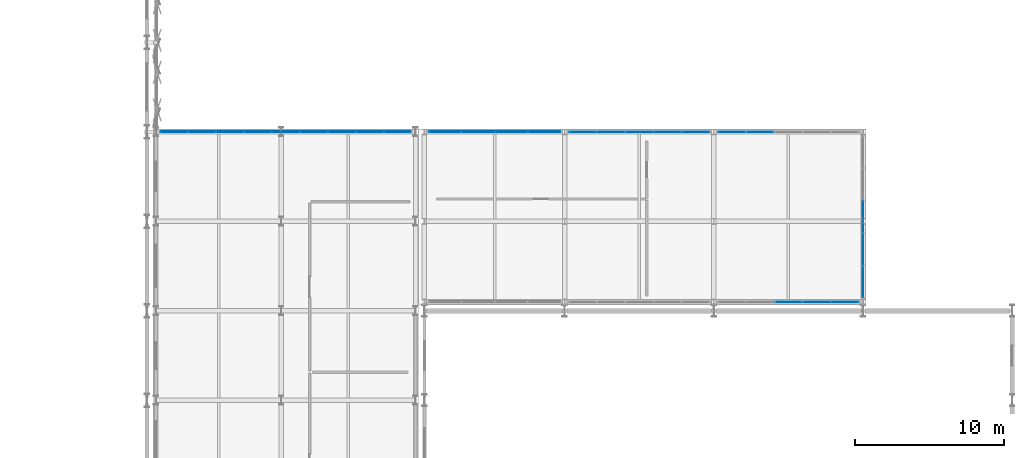
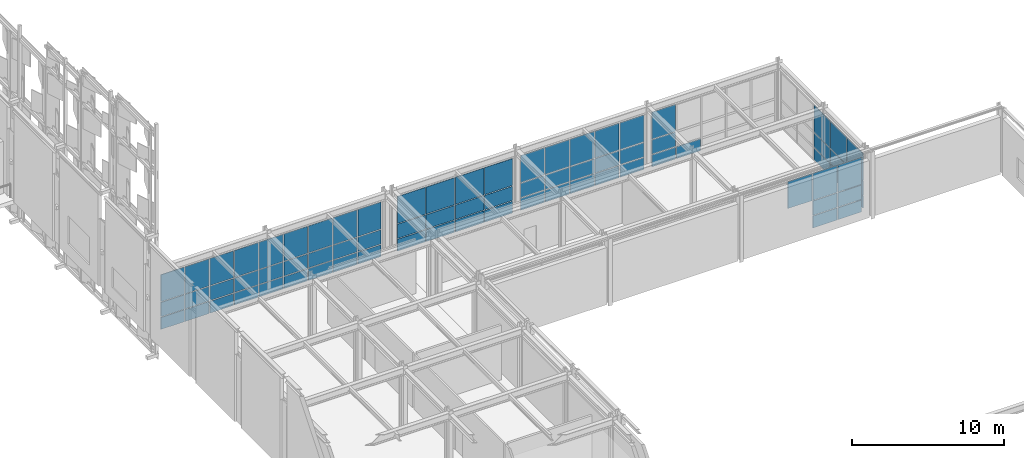
# One storey, part 148 of 210: 74 plates, 6 elements without a shape of their own.
"""IFC4 building model written with IfcOpenShell, lengths in metres."""

from ifc_helpers import new_model, si_unit, direction, frame, origin, origin_2d, place, context, subcontext, project, spatial, rectangle, extrude, material, type_object, element, aggregate, save


model = new_model("IFC4")

# Units and contexts
model_context = context("Model", 3, precision=1e-05, world=origin(), true_north=direction((0.0, 1.0)))
body_context = subcontext(model_context, "Body", "Model", "MODEL_VIEW")
ifc_project = project(units=[si_unit("LENGTHUNIT", "METRE"), si_unit("AREAUNIT", "SQUARE_METRE"), si_unit("VOLUMEUNIT", "CUBIC_METRE"), si_unit("PLANEANGLEUNIT", "RADIAN"), si_unit("MASSUNIT", "GRAM", prefix="KILO")], contexts=[model_context])

# Site, building, storey
site_placement = place(None, origin())
site = spatial("IfcSite", under=ifc_project, at=site_placement, CompositionType="ELEMENT")
building_placement = place(site_placement, origin())
building = spatial("IfcBuilding", under=site, at=building_placement, Name="Kaldris Quays Convention Centre", CompositionType="ELEMENT")
storey_placement = place(building_placement, frame((0.0, 0.0, 6.0)))
storey = spatial("IfcBuildingStorey", under=building, at=storey_placement, Name="L01", CompositionType="ELEMENT", Elevation=6.0)

# Curtain wall, plates
ifc_material_1 = material(Name="Anodized aluminium AW-6060 and triple glazing", Category="aluminium")
curtain_wall_type_1 = type_object("IfcCurtainWallType", Name="UNITISED CURTAIN WALL CW06", PredefinedType="NOTDEFINED", material=ifc_material_1)
curtain_wall_1_placement = place(storey_placement, origin())
curtain_wall_1 = element("IfcCurtainWall", 1, at=curtain_wall_1_placement, inside=storey, type_object=curtain_wall_type_1, Name="L01 Unitised Curtain Wall CW06 161", PredefinedType="NOTDEFINED")
ifc_material_2 = material(Name="Triple low-E insulated glazing", Category="glass")
plate_type_1 = type_object("IfcPlateType", Name="CURTAIN GLAZING PANEL CWP1", PredefinedType="CURTAIN_PANEL", material=ifc_material_2)
plate_1_placement = place(storey_placement, frame((175.215087890625, 116.0, 0.06005859375), z_axis=(0.0, 0.0, 1.0), x_axis=(1.0, 0.0, 0.0)))
plate_1 = element("IfcPlate", 2, at=plate_1_placement, type_object=plate_type_1, Name="CW06 panel 1.1", PredefinedType="CURTAIN_PANEL", context=body_context, shape_type="SweptSolid", body=[
    extrude(rectangle(XDim=1.81005859375, YDim=0.029052734375, at=origin_2d()), origin(), (0.0, 0.0, 1.0), 0.9599609375),
])
plate_2_placement = place(storey_placement, frame((175.215087890625, 116.0, 1.080078125), z_axis=(0.0, 0.0, 1.0), x_axis=(1.0, 0.0, 0.0)))
plate_2 = element("IfcPlate", 3, at=plate_2_placement, type_object=plate_type_1, Name="CW06 panel 1.2", PredefinedType="CURTAIN_PANEL", context=body_context, shape_type="SweptSolid", body=[
    extrude(rectangle(XDim=1.81005859375, YDim=0.029052734375, at=origin_2d()), origin(), (0.0, 0.0, 1.0), 1.14892578125),
])
plate_3_placement = place(storey_placement, frame((175.215087890625, 116.0, 2.2890625), z_axis=(0.0, 0.0, 1.0), x_axis=(1.0, 0.0, 0.0)))
plate_3 = element("IfcPlate", 4, at=plate_3_placement, type_object=plate_type_1, Name="CW06 panel 1.3", PredefinedType="CURTAIN_PANEL", context=body_context, shape_type="SweptSolid", body=[
    extrude(rectangle(XDim=1.81005859375, YDim=0.029052734375, at=origin_2d()), origin(), (0.0, 0.0, 1.0), 2.1689453125),
])
plate_4_placement = place(storey_placement, frame((177.10009765625, 116.0, 0.06005859375), z_axis=(0.0, 0.0, 1.0), x_axis=(1.0, 0.0, 0.0)))
plate_4 = element("IfcPlate", 5, at=plate_4_placement, type_object=plate_type_1, Name="CW06 panel 2.1", PredefinedType="CURTAIN_PANEL", context=body_context, shape_type="SweptSolid", body=[
    extrude(rectangle(XDim=1.840087890625, YDim=0.029052734375, at=origin_2d()), origin(), (0.0, 0.0, 1.0), 0.9599609375),
])
plate_5_placement = place(storey_placement, frame((177.10009765625, 116.0, 1.080078125), z_axis=(0.0, 0.0, 1.0), x_axis=(1.0, 0.0, 0.0)))
plate_5 = element("IfcPlate", 6, at=plate_5_placement, type_object=plate_type_1, Name="CW06 panel 2.2", PredefinedType="CURTAIN_PANEL", context=body_context, shape_type="SweptSolid", body=[
    extrude(rectangle(XDim=1.840087890625, YDim=0.029052734375, at=origin_2d()), origin(), (0.0, 0.0, 1.0), 1.14892578125),
])
plate_6_placement = place(storey_placement, frame((177.10009765625, 116.0, 2.2890625), z_axis=(0.0, 0.0, 1.0), x_axis=(1.0, 0.0, 0.0)))
plate_6 = element("IfcPlate", 7, at=plate_6_placement, type_object=plate_type_1, Name="CW06 panel 2.3", PredefinedType="CURTAIN_PANEL", context=body_context, shape_type="SweptSolid", body=[
    extrude(rectangle(XDim=1.840087890625, YDim=0.029052734375, at=origin_2d()), origin(), (0.0, 0.0, 1.0), 2.1689453125),
])
plate_7_placement = place(storey_placement, frame((179.0, 116.0, 0.06005859375), z_axis=(0.0, 0.0, 1.0), x_axis=(1.0, 0.0, 0.0)))
plate_7 = element("IfcPlate", 8, at=plate_7_placement, type_object=plate_type_1, Name="CW06 panel 3.1", PredefinedType="CURTAIN_PANEL", context=body_context, shape_type="SweptSolid", body=[
    extrude(rectangle(XDim=1.840087890625, YDim=0.029052734375, at=origin_2d()), origin(), (0.0, 0.0, 1.0), 0.9599609375),
])
plate_8_placement = place(storey_placement, frame((179.0, 116.0, 1.080078125), z_axis=(0.0, 0.0, 1.0), x_axis=(1.0, 0.0, 0.0)))
plate_8 = element("IfcPlate", 9, at=plate_8_placement, type_object=plate_type_1, Name="CW06 panel 3.2", PredefinedType="CURTAIN_PANEL", context=body_context, shape_type="SweptSolid", body=[
    extrude(rectangle(XDim=1.840087890625, YDim=0.029052734375, at=origin_2d()), origin(), (0.0, 0.0, 1.0), 1.14892578125),
])
plate_9_placement = place(storey_placement, frame((179.0, 116.0, 2.2890625), z_axis=(0.0, 0.0, 1.0), x_axis=(1.0, 0.0, 0.0)))
plate_9 = element("IfcPlate", 10, at=plate_9_placement, type_object=plate_type_1, Name="CW06 panel 3.3", PredefinedType="CURTAIN_PANEL", context=body_context, shape_type="SweptSolid", body=[
    extrude(rectangle(XDim=1.840087890625, YDim=0.029052734375, at=origin_2d()), origin(), (0.0, 0.0, 1.0), 2.1689453125),
])
plate_10_placement = place(storey_placement, frame((180.89990234375, 116.0, 0.06005859375), z_axis=(0.0, 0.0, 1.0), x_axis=(1.0, 0.0, 0.0)))
plate_10 = element("IfcPlate", 11, at=plate_10_placement, type_object=plate_type_1, Name="CW06 panel 4.1", PredefinedType="CURTAIN_PANEL", context=body_context, shape_type="SweptSolid", body=[
    extrude(rectangle(XDim=1.840087890625, YDim=0.029052734375, at=origin_2d()), origin(), (0.0, 0.0, 1.0), 0.9599609375),
])
plate_11_placement = place(storey_placement, frame((180.89990234375, 116.0, 1.080078125), z_axis=(0.0, 0.0, 1.0), x_axis=(1.0, 0.0, 0.0)))
plate_11 = element("IfcPlate", 12, at=plate_11_placement, type_object=plate_type_1, Name="CW06 panel 4.2", PredefinedType="CURTAIN_PANEL", context=body_context, shape_type="SweptSolid", body=[
    extrude(rectangle(XDim=1.840087890625, YDim=0.029052734375, at=origin_2d()), origin(), (0.0, 0.0, 1.0), 1.14892578125),
])
plate_12_placement = place(storey_placement, frame((180.89990234375, 116.0, 2.2890625), z_axis=(0.0, 0.0, 1.0), x_axis=(1.0, 0.0, 0.0)))
plate_12 = element("IfcPlate", 13, at=plate_12_placement, type_object=plate_type_1, Name="CW06 panel 4.3", PredefinedType="CURTAIN_PANEL", context=body_context, shape_type="SweptSolid", body=[
    extrude(rectangle(XDim=1.840087890625, YDim=0.029052734375, at=origin_2d()), origin(), (0.0, 0.0, 1.0), 2.1689453125),
])
plate_13_placement = place(storey_placement, frame((182.784912109375, 116.0, 0.06005859375), z_axis=(0.0, 0.0, 1.0), x_axis=(1.0, 0.0, 0.0)))
plate_13 = element("IfcPlate", 14, at=plate_13_placement, type_object=plate_type_1, Name="CW06 panel 5.1", PredefinedType="CURTAIN_PANEL", context=body_context, shape_type="SweptSolid", body=[
    extrude(rectangle(XDim=1.81005859375, YDim=0.029052734375, at=origin_2d()), origin(), (0.0, 0.0, 1.0), 0.9599609375),
])
plate_14_placement = place(storey_placement, frame((182.784912109375, 116.0, 1.080078125), z_axis=(0.0, 0.0, 1.0), x_axis=(1.0, 0.0, 0.0)))
plate_14 = element("IfcPlate", 15, at=plate_14_placement, type_object=plate_type_1, Name="CW06 panel 5.2", PredefinedType="CURTAIN_PANEL", context=body_context, shape_type="SweptSolid", body=[
    extrude(rectangle(XDim=1.81005859375, YDim=0.029052734375, at=origin_2d()), origin(), (0.0, 0.0, 1.0), 1.14892578125),
])
plate_15_placement = place(storey_placement, frame((182.784912109375, 116.0, 2.2890625), z_axis=(0.0, 0.0, 1.0), x_axis=(1.0, 0.0, 0.0)))
plate_15 = element("IfcPlate", 16, at=plate_15_placement, type_object=plate_type_1, Name="CW06 panel 5.3", PredefinedType="CURTAIN_PANEL", context=body_context, shape_type="SweptSolid", body=[
    extrude(rectangle(XDim=1.81005859375, YDim=0.029052734375, at=origin_2d()), origin(), (0.0, 0.0, 1.0), 2.1689453125),
])
aggregate(curtain_wall_1, [plate_1, plate_2, plate_3, plate_4, plate_5, plate_6, plate_7, plate_8, plate_9, plate_10, plate_11, plate_12, plate_13, plate_14, plate_15])

curtain_wall_2_placement = place(storey_placement, origin())
curtain_wall_2 = element("IfcCurtainWall", 17, at=curtain_wall_2_placement, inside=storey, type_object=curtain_wall_type_1, Name="L01 Unitised Curtain Wall CW06 163", PredefinedType="NOTDEFINED")
plate_type_2 = type_object("IfcPlateType", Name="CURTAIN GLAZING PANEL CWP3", PredefinedType="CURTAIN_PANEL", material=ifc_material_2)
plate_16_placement = place(storey_placement, frame((185.215087890625, 116.0, 0.06005859375), z_axis=(0.0, 0.0, 1.0), x_axis=(1.0, 0.0, 0.0)))
plate_16 = element("IfcPlate", 18, at=plate_16_placement, type_object=plate_type_2, Name="CW06 panel 1.1", PredefinedType="CURTAIN_PANEL", context=body_context, shape_type="SweptSolid", body=[
    extrude(rectangle(XDim=1.81005859375, YDim=0.0390625, at=origin_2d()), origin(), (0.0, 0.0, 1.0), 0.9599609375),
])
plate_17_placement = place(storey_placement, frame((185.215087890625, 116.0, 1.080078125), z_axis=(0.0, 0.0, 1.0), x_axis=(1.0, 0.0, 0.0)))
plate_17 = element("IfcPlate", 19, at=plate_17_placement, type_object=plate_type_2, Name="CW06 panel 1.2", PredefinedType="CURTAIN_PANEL", context=body_context, shape_type="SweptSolid", body=[
    extrude(rectangle(XDim=1.81005859375, YDim=0.0390625, at=origin_2d()), origin(), (0.0, 0.0, 1.0), 1.14892578125),
])
plate_18_placement = place(storey_placement, frame((185.215087890625, 116.0, 2.2890625), z_axis=(0.0, 0.0, 1.0), x_axis=(1.0, 0.0, 0.0)))
plate_18 = element("IfcPlate", 20, at=plate_18_placement, type_object=plate_type_2, Name="CW06 panel 1.3", PredefinedType="CURTAIN_PANEL", context=body_context, shape_type="SweptSolid", body=[
    extrude(rectangle(XDim=1.81005859375, YDim=0.0390625, at=origin_2d()), origin(), (0.0, 0.0, 1.0), 2.1689453125),
])
plate_19_placement = place(storey_placement, frame((187.10009765625, 116.0, 0.06005859375), z_axis=(0.0, 0.0, 1.0), x_axis=(1.0, 0.0, 0.0)))
plate_19 = element("IfcPlate", 21, at=plate_19_placement, type_object=plate_type_2, Name="CW06 panel 2.1", PredefinedType="CURTAIN_PANEL", context=body_context, shape_type="SweptSolid", body=[
    extrude(rectangle(XDim=1.840087890625, YDim=0.0390625, at=origin_2d()), origin(), (0.0, 0.0, 1.0), 0.9599609375),
])
aggregate(curtain_wall_2, [plate_16, plate_17, plate_18, plate_19])

curtain_wall_type_2 = type_object("IfcCurtainWallType", Name="UNITISED CURTAIN WALL CW05", PredefinedType="NOTDEFINED", material=ifc_material_1)
curtain_wall_3_placement = place(storey_placement, origin())
curtain_wall_3 = element("IfcCurtainWall", 22, at=curtain_wall_3_placement, inside=storey, type_object=curtain_wall_type_2, Name="L01 Unitised Curtain Wall CW05 140", PredefinedType="NOTDEFINED")
plate_type_3 = type_object("IfcPlateType", Name="CURTAIN GLAZING PANEL CWP4", PredefinedType="CURTAIN_PANEL", material=ifc_material_2)
plate_20_placement = place(storey_placement, frame((147.803955078125, 116.0, 0.06005859375), z_axis=(0.0, 0.0, 1.0), x_axis=(1.0, 0.0, 0.0)))
plate_20 = element("IfcPlate", 23, at=plate_20_placement, type_object=plate_type_3, Name="CW05 panel 1.1", PredefinedType="CURTAIN_PANEL", context=body_context, shape_type="SweptSolid", body=[
    extrude(rectangle(XDim=1.787841796875, YDim=0.0439453125, at=origin_2d()), origin(), (0.0, 0.0, 1.0), 0.9599609375),
])
plate_21_placement = place(storey_placement, frame((147.803955078125, 116.0, 1.080078125), z_axis=(0.0, 0.0, 1.0), x_axis=(1.0, 0.0, 0.0)))
plate_21 = element("IfcPlate", 24, at=plate_21_placement, type_object=plate_type_3, Name="CW05 panel 1.2", PredefinedType="CURTAIN_PANEL", context=body_context, shape_type="SweptSolid", body=[
    extrude(rectangle(XDim=1.787841796875, YDim=0.0439453125, at=origin_2d()), origin(), (0.0, 0.0, 1.0), 1.14892578125),
])
plate_22_placement = place(storey_placement, frame((147.803955078125, 116.0, 2.2890625), z_axis=(0.0, 0.0, 1.0), x_axis=(1.0, 0.0, 0.0)))
plate_22 = element("IfcPlate", 25, at=plate_22_placement, type_object=plate_type_3, Name="CW05 panel 1.3", PredefinedType="CURTAIN_PANEL", context=body_context, shape_type="SweptSolid", body=[
    extrude(rectangle(XDim=1.787841796875, YDim=0.0439453125, at=origin_2d()), origin(), (0.0, 0.0, 1.0), 2.1689453125),
])
plate_23_placement = place(storey_placement, frame((149.666748046875, 116.0, 0.06005859375), z_axis=(0.0, 0.0, 1.0), x_axis=(1.0, 0.0, 0.0)))
plate_23 = element("IfcPlate", 26, at=plate_23_placement, type_object=plate_type_3, Name="CW05 panel 2.1", PredefinedType="CURTAIN_PANEL", context=body_context, shape_type="SweptSolid", body=[
    extrude(rectangle(XDim=1.81787109375, YDim=0.0439453125, at=origin_2d()), origin(), (0.0, 0.0, 1.0), 0.9599609375),
])
plate_24_placement = place(storey_placement, frame((149.666748046875, 116.0, 1.080078125), z_axis=(0.0, 0.0, 1.0), x_axis=(1.0, 0.0, 0.0)))
plate_24 = element("IfcPlate", 27, at=plate_24_placement, type_object=plate_type_3, Name="CW05 panel 2.2", PredefinedType="CURTAIN_PANEL", context=body_context, shape_type="SweptSolid", body=[
    extrude(rectangle(XDim=1.81787109375, YDim=0.0439453125, at=origin_2d()), origin(), (0.0, 0.0, 1.0), 1.14892578125),
])
plate_25_placement = place(storey_placement, frame((149.666748046875, 116.0, 2.2890625), z_axis=(0.0, 0.0, 1.0), x_axis=(1.0, 0.0, 0.0)))
plate_25 = element("IfcPlate", 28, at=plate_25_placement, type_object=plate_type_3, Name="CW05 panel 2.3", PredefinedType="CURTAIN_PANEL", context=body_context, shape_type="SweptSolid", body=[
    extrude(rectangle(XDim=1.81787109375, YDim=0.0439453125, at=origin_2d()), origin(), (0.0, 0.0, 1.0), 2.1689453125),
])
plate_26_placement = place(storey_placement, frame((151.54443359375, 116.0, 0.06005859375), z_axis=(0.0, 0.0, 1.0), x_axis=(1.0, 0.0, 0.0)))
plate_26 = element("IfcPlate", 29, at=plate_26_placement, type_object=plate_type_3, Name="CW05 panel 3.1", PredefinedType="CURTAIN_PANEL", context=body_context, shape_type="SweptSolid", body=[
    extrude(rectangle(XDim=1.81787109375, YDim=0.0439453125, at=origin_2d()), origin(), (0.0, 0.0, 1.0), 0.9599609375),
])
plate_27_placement = place(storey_placement, frame((151.54443359375, 116.0, 1.080078125), z_axis=(0.0, 0.0, 1.0), x_axis=(1.0, 0.0, 0.0)))
plate_27 = element("IfcPlate", 30, at=plate_27_placement, type_object=plate_type_3, Name="CW05 panel 3.2", PredefinedType="CURTAIN_PANEL", context=body_context, shape_type="SweptSolid", body=[
    extrude(rectangle(XDim=1.81787109375, YDim=0.0439453125, at=origin_2d()), origin(), (0.0, 0.0, 1.0), 1.14892578125),
])
plate_28_placement = place(storey_placement, frame((151.54443359375, 116.0, 2.2890625), z_axis=(0.0, 0.0, 1.0), x_axis=(1.0, 0.0, 0.0)))
plate_28 = element("IfcPlate", 31, at=plate_28_placement, type_object=plate_type_3, Name="CW05 panel 3.3", PredefinedType="CURTAIN_PANEL", context=body_context, shape_type="SweptSolid", body=[
    extrude(rectangle(XDim=1.81787109375, YDim=0.0439453125, at=origin_2d()), origin(), (0.0, 0.0, 1.0), 2.1689453125),
])
plate_29_placement = place(storey_placement, frame((153.422119140625, 116.0, 0.06005859375), z_axis=(0.0, 0.0, 1.0), x_axis=(1.0, 0.0, 0.0)))
plate_29 = element("IfcPlate", 32, at=plate_29_placement, type_object=plate_type_3, Name="CW05 panel 4.1", PredefinedType="CURTAIN_PANEL", context=body_context, shape_type="SweptSolid", body=[
    extrude(rectangle(XDim=1.81787109375, YDim=0.0439453125, at=origin_2d()), origin(), (0.0, 0.0, 1.0), 0.9599609375),
])
plate_30_placement = place(storey_placement, frame((153.422119140625, 116.0, 1.080078125), z_axis=(0.0, 0.0, 1.0), x_axis=(1.0, 0.0, 0.0)))
plate_30 = element("IfcPlate", 33, at=plate_30_placement, type_object=plate_type_3, Name="CW05 panel 4.2", PredefinedType="CURTAIN_PANEL", context=body_context, shape_type="SweptSolid", body=[
    extrude(rectangle(XDim=1.81787109375, YDim=0.0439453125, at=origin_2d()), origin(), (0.0, 0.0, 1.0), 1.14892578125),
])
plate_31_placement = place(storey_placement, frame((153.422119140625, 116.0, 2.2890625), z_axis=(0.0, 0.0, 1.0), x_axis=(1.0, 0.0, 0.0)))
plate_31 = element("IfcPlate", 34, at=plate_31_placement, type_object=plate_type_3, Name="CW05 panel 4.3", PredefinedType="CURTAIN_PANEL", context=body_context, shape_type="SweptSolid", body=[
    extrude(rectangle(XDim=1.81787109375, YDim=0.0439453125, at=origin_2d()), origin(), (0.0, 0.0, 1.0), 2.1689453125),
])
plate_32_placement = place(storey_placement, frame((155.300048828125, 116.0, 0.06005859375), z_axis=(0.0, 0.0, 1.0), x_axis=(1.0, 0.0, 0.0)))
plate_32 = element("IfcPlate", 35, at=plate_32_placement, type_object=plate_type_3, Name="CW05 panel 5.1", PredefinedType="CURTAIN_PANEL", context=body_context, shape_type="SweptSolid", body=[
    extrude(rectangle(XDim=1.81787109375, YDim=0.0439453125, at=origin_2d()), origin(), (0.0, 0.0, 1.0), 0.9599609375),
])
plate_33_placement = place(storey_placement, frame((155.300048828125, 116.0, 1.080078125), z_axis=(0.0, 0.0, 1.0), x_axis=(1.0, 0.0, 0.0)))
plate_33 = element("IfcPlate", 36, at=plate_33_placement, type_object=plate_type_3, Name="CW05 panel 5.2", PredefinedType="CURTAIN_PANEL", context=body_context, shape_type="SweptSolid", body=[
    extrude(rectangle(XDim=1.81787109375, YDim=0.0439453125, at=origin_2d()), origin(), (0.0, 0.0, 1.0), 1.14892578125),
])
plate_34_placement = place(storey_placement, frame((155.300048828125, 116.0, 2.2890625), z_axis=(0.0, 0.0, 1.0), x_axis=(1.0, 0.0, 0.0)))
plate_34 = element("IfcPlate", 37, at=plate_34_placement, type_object=plate_type_3, Name="CW05 panel 5.3", PredefinedType="CURTAIN_PANEL", context=body_context, shape_type="SweptSolid", body=[
    extrude(rectangle(XDim=1.81787109375, YDim=0.0439453125, at=origin_2d()), origin(), (0.0, 0.0, 1.0), 2.1689453125),
])
plate_35_placement = place(storey_placement, frame((157.177734375, 116.0, 0.06005859375), z_axis=(0.0, 0.0, 1.0), x_axis=(1.0, 0.0, 0.0)))
plate_35 = element("IfcPlate", 38, at=plate_35_placement, type_object=plate_type_3, Name="CW05 panel 6.1", PredefinedType="CURTAIN_PANEL", context=body_context, shape_type="SweptSolid", body=[
    extrude(rectangle(XDim=1.81787109375, YDim=0.0439453125, at=origin_2d()), origin(), (0.0, 0.0, 1.0), 0.9599609375),
])
plate_36_placement = place(storey_placement, frame((157.177734375, 116.0, 1.080078125), z_axis=(0.0, 0.0, 1.0), x_axis=(1.0, 0.0, 0.0)))
plate_36 = element("IfcPlate", 39, at=plate_36_placement, type_object=plate_type_3, Name="CW05 panel 6.2", PredefinedType="CURTAIN_PANEL", context=body_context, shape_type="SweptSolid", body=[
    extrude(rectangle(XDim=1.81787109375, YDim=0.0439453125, at=origin_2d()), origin(), (0.0, 0.0, 1.0), 1.14892578125),
])
plate_37_placement = place(storey_placement, frame((157.177734375, 116.0, 2.2890625), z_axis=(0.0, 0.0, 1.0), x_axis=(1.0, 0.0, 0.0)))
plate_37 = element("IfcPlate", 40, at=plate_37_placement, type_object=plate_type_3, Name="CW05 panel 6.3", PredefinedType="CURTAIN_PANEL", context=body_context, shape_type="SweptSolid", body=[
    extrude(rectangle(XDim=1.81787109375, YDim=0.0439453125, at=origin_2d()), origin(), (0.0, 0.0, 1.0), 2.1689453125),
])
plate_38_placement = place(storey_placement, frame((159.0556640625, 116.0, 0.06005859375), z_axis=(0.0, 0.0, 1.0), x_axis=(1.0, 0.0, 0.0)))
plate_38 = element("IfcPlate", 41, at=plate_38_placement, type_object=plate_type_3, Name="CW05 panel 7.1", PredefinedType="CURTAIN_PANEL", context=body_context, shape_type="SweptSolid", body=[
    extrude(rectangle(XDim=1.81787109375, YDim=0.0439453125, at=origin_2d()), origin(), (0.0, 0.0, 1.0), 0.9599609375),
])
plate_39_placement = place(storey_placement, frame((159.0556640625, 116.0, 1.080078125), z_axis=(0.0, 0.0, 1.0), x_axis=(1.0, 0.0, 0.0)))
plate_39 = element("IfcPlate", 42, at=plate_39_placement, type_object=plate_type_3, Name="CW05 panel 7.2", PredefinedType="CURTAIN_PANEL", context=body_context, shape_type="SweptSolid", body=[
    extrude(rectangle(XDim=1.81787109375, YDim=0.0439453125, at=origin_2d()), origin(), (0.0, 0.0, 1.0), 1.14892578125),
])
plate_40_placement = place(storey_placement, frame((159.0556640625, 116.0, 2.2890625), z_axis=(0.0, 0.0, 1.0), x_axis=(1.0, 0.0, 0.0)))
plate_40 = element("IfcPlate", 43, at=plate_40_placement, type_object=plate_type_3, Name="CW05 panel 7.3", PredefinedType="CURTAIN_PANEL", context=body_context, shape_type="SweptSolid", body=[
    extrude(rectangle(XDim=1.81787109375, YDim=0.0439453125, at=origin_2d()), origin(), (0.0, 0.0, 1.0), 2.1689453125),
])
plate_41_placement = place(storey_placement, frame((160.933349609375, 116.0, 0.06005859375), z_axis=(0.0, 0.0, 1.0), x_axis=(1.0, 0.0, 0.0)))
plate_41 = element("IfcPlate", 44, at=plate_41_placement, type_object=plate_type_3, Name="CW05 panel 8.1", PredefinedType="CURTAIN_PANEL", context=body_context, shape_type="SweptSolid", body=[
    extrude(rectangle(XDim=1.81787109375, YDim=0.0439453125, at=origin_2d()), origin(), (0.0, 0.0, 1.0), 0.9599609375),
])
plate_42_placement = place(storey_placement, frame((160.933349609375, 116.0, 1.080078125), z_axis=(0.0, 0.0, 1.0), x_axis=(1.0, 0.0, 0.0)))
plate_42 = element("IfcPlate", 45, at=plate_42_placement, type_object=plate_type_3, Name="CW05 panel 8.2", PredefinedType="CURTAIN_PANEL", context=body_context, shape_type="SweptSolid", body=[
    extrude(rectangle(XDim=1.81787109375, YDim=0.0439453125, at=origin_2d()), origin(), (0.0, 0.0, 1.0), 1.14892578125),
])
plate_43_placement = place(storey_placement, frame((160.933349609375, 116.0, 2.2890625), z_axis=(0.0, 0.0, 1.0), x_axis=(1.0, 0.0, 0.0)))
plate_43 = element("IfcPlate", 46, at=plate_43_placement, type_object=plate_type_3, Name="CW05 panel 8.3", PredefinedType="CURTAIN_PANEL", context=body_context, shape_type="SweptSolid", body=[
    extrude(rectangle(XDim=1.81787109375, YDim=0.0439453125, at=origin_2d()), origin(), (0.0, 0.0, 1.0), 2.1689453125),
])
plate_44_placement = place(storey_placement, frame((162.796142578125, 116.0, 0.06005859375), z_axis=(0.0, 0.0, 1.0), x_axis=(1.0, 0.0, 0.0)))
plate_44 = element("IfcPlate", 47, at=plate_44_placement, type_object=plate_type_3, Name="CW05 panel 9.1", PredefinedType="CURTAIN_PANEL", context=body_context, shape_type="SweptSolid", body=[
    extrude(rectangle(XDim=1.787841796875, YDim=0.0439453125, at=origin_2d()), origin(), (0.0, 0.0, 1.0), 0.9599609375),
])
plate_45_placement = place(storey_placement, frame((162.796142578125, 116.0, 1.080078125), z_axis=(0.0, 0.0, 1.0), x_axis=(1.0, 0.0, 0.0)))
plate_45 = element("IfcPlate", 48, at=plate_45_placement, type_object=plate_type_3, Name="CW05 panel 9.2", PredefinedType="CURTAIN_PANEL", context=body_context, shape_type="SweptSolid", body=[
    extrude(rectangle(XDim=1.787841796875, YDim=0.0439453125, at=origin_2d()), origin(), (0.0, 0.0, 1.0), 1.14892578125),
])
plate_46_placement = place(storey_placement, frame((162.796142578125, 116.0, 2.2890625), z_axis=(0.0, 0.0, 1.0), x_axis=(1.0, 0.0, 0.0)))
plate_46 = element("IfcPlate", 49, at=plate_46_placement, type_object=plate_type_3, Name="CW05 panel 9.3", PredefinedType="CURTAIN_PANEL", context=body_context, shape_type="SweptSolid", body=[
    extrude(rectangle(XDim=1.787841796875, YDim=0.0439453125, at=origin_2d()), origin(), (0.0, 0.0, 1.0), 2.1689453125),
])
aggregate(curtain_wall_3, [plate_20, plate_21, plate_22, plate_23, plate_24, plate_25, plate_26, plate_27, plate_28, plate_29, plate_30, plate_31, plate_32, plate_33, plate_34, plate_35, plate_36, plate_37, plate_38, plate_39, plate_40, plate_41, plate_42, plate_43, plate_44, plate_45, plate_46])

curtain_wall_4_placement = place(storey_placement, origin())
curtain_wall_4 = element("IfcCurtainWall", 50, at=curtain_wall_4_placement, inside=storey, type_object=curtain_wall_type_1, Name="L01 Unitised Curtain Wall CW06 164", PredefinedType="NOTDEFINED")
plate_47_placement = place(storey_placement, frame((189.0, 104.60009765625, 2.2890625), z_axis=(0.0, 0.0, 1.0), x_axis=(1.0, 0.0, 0.0)))
plate_47 = element("IfcPlate", 51, at=plate_47_placement, type_object=plate_type_3, Name="CW06 panel 3.3", PredefinedType="CURTAIN_PANEL", context=body_context, shape_type="SweptSolid", body=[
    extrude(rectangle(XDim=1.840087890625, YDim=0.0439453125, at=origin_2d()), origin(), (0.0, 0.0, 1.0), 2.1689453125),
])
plate_48_placement = place(storey_placement, frame((190.89990234375, 104.60009765625, 0.06005859375), z_axis=(0.0, 0.0, 1.0), x_axis=(1.0, 0.0, 0.0)))
plate_48 = element("IfcPlate", 52, at=plate_48_placement, type_object=plate_type_3, Name="CW06 panel 4.1", PredefinedType="CURTAIN_PANEL", context=body_context, shape_type="SweptSolid", body=[
    extrude(rectangle(XDim=1.840087890625, YDim=0.0439453125, at=origin_2d()), origin(), (0.0, 0.0, 1.0), 0.9599609375),
])
plate_49_placement = place(storey_placement, frame((190.89990234375, 104.60009765625, 1.080078125), z_axis=(0.0, 0.0, 1.0), x_axis=(1.0, 0.0, 0.0)))
plate_49 = element("IfcPlate", 53, at=plate_49_placement, type_object=plate_type_3, Name="CW06 panel 4.2", PredefinedType="CURTAIN_PANEL", context=body_context, shape_type="SweptSolid", body=[
    extrude(rectangle(XDim=1.840087890625, YDim=0.0439453125, at=origin_2d()), origin(), (0.0, 0.0, 1.0), 1.14892578125),
])
plate_50_placement = place(storey_placement, frame((190.89990234375, 104.60009765625, 2.2890625), z_axis=(0.0, 0.0, 1.0), x_axis=(1.0, 0.0, 0.0)))
plate_50 = element("IfcPlate", 54, at=plate_50_placement, type_object=plate_type_3, Name="CW06 panel 4.3", PredefinedType="CURTAIN_PANEL", context=body_context, shape_type="SweptSolid", body=[
    extrude(rectangle(XDim=1.840087890625, YDim=0.0439453125, at=origin_2d()), origin(), (0.0, 0.0, 1.0), 2.1689453125),
])
plate_51_placement = place(storey_placement, frame((192.784912109375, 104.60009765625, 0.06005859375), z_axis=(0.0, 0.0, 1.0), x_axis=(1.0, 0.0, 0.0)))
plate_51 = element("IfcPlate", 55, at=plate_51_placement, type_object=plate_type_3, Name="CW06 panel 5.1", PredefinedType="CURTAIN_PANEL", context=body_context, shape_type="SweptSolid", body=[
    extrude(rectangle(XDim=1.81005859375, YDim=0.0439453125, at=origin_2d()), origin(), (0.0, 0.0, 1.0), 0.9599609375),
])
plate_52_placement = place(storey_placement, frame((192.784912109375, 104.60009765625, 1.080078125), z_axis=(0.0, 0.0, 1.0), x_axis=(1.0, 0.0, 0.0)))
plate_52 = element("IfcPlate", 56, at=plate_52_placement, type_object=plate_type_3, Name="CW06 panel 5.2", PredefinedType="CURTAIN_PANEL", context=body_context, shape_type="SweptSolid", body=[
    extrude(rectangle(XDim=1.81005859375, YDim=0.0439453125, at=origin_2d()), origin(), (0.0, 0.0, 1.0), 1.14892578125),
])
plate_53_placement = place(storey_placement, frame((192.784912109375, 104.60009765625, 2.2890625), z_axis=(0.0, 0.0, 1.0), x_axis=(1.0, 0.0, 0.0)))
plate_53 = element("IfcPlate", 57, at=plate_53_placement, type_object=plate_type_3, Name="CW06 panel 5.3", PredefinedType="CURTAIN_PANEL", context=body_context, shape_type="SweptSolid", body=[
    extrude(rectangle(XDim=1.81005859375, YDim=0.0439453125, at=origin_2d()), origin(), (0.0, 0.0, 1.0), 2.1689453125),
])
aggregate(curtain_wall_4, [plate_47, plate_48, plate_49, plate_50, plate_51, plate_52, plate_53])

curtain_wall_5_placement = place(storey_placement, origin())
curtain_wall_5 = element("IfcCurtainWall", 58, at=curtain_wall_5_placement, inside=storey, type_object=curtain_wall_type_1, Name="L01 Unitised Curtain Wall CW06 165", PredefinedType="NOTDEFINED")
plate_type_4 = type_object("IfcPlateType", Name="CURTAIN GLAZING PANEL CWP5", PredefinedType="CURTAIN_PANEL", material=ifc_material_2)
plate_54_placement = place(storey_placement, frame((194.0, 105.955078125, 0.06005859375), z_axis=(0.0, 0.0, 1.0), x_axis=(0.0, 1.0, 0.0)))
plate_54 = element("IfcPlate", 59, at=plate_54_placement, type_object=plate_type_4, Name="CW06 panel 1.1", PredefinedType="CURTAIN_PANEL", context=body_context, shape_type="SweptSolid", body=[
    extrude(rectangle(XDim=2.090087890625, YDim=0.049072265625, at=origin_2d()), origin(), (0.0, 0.0, 1.0), 0.9599609375),
])
plate_55_placement = place(storey_placement, frame((194.0, 105.955078125, 1.080078125), z_axis=(0.0, 0.0, 1.0), x_axis=(0.0, 1.0, 0.0)))
plate_55 = element("IfcPlate", 60, at=plate_55_placement, type_object=plate_type_4, Name="CW06 panel 1.2", PredefinedType="CURTAIN_PANEL", context=body_context, shape_type="SweptSolid", body=[
    extrude(rectangle(XDim=2.090087890625, YDim=0.049072265625, at=origin_2d()), origin(), (0.0, 0.0, 1.0), 1.14892578125),
])
plate_56_placement = place(storey_placement, frame((194.0, 105.955078125, 2.2890625), z_axis=(0.0, 0.0, 1.0), x_axis=(0.0, 1.0, 0.0)))
plate_56 = element("IfcPlate", 61, at=plate_56_placement, type_object=plate_type_4, Name="CW06 panel 1.3", PredefinedType="CURTAIN_PANEL", context=body_context, shape_type="SweptSolid", body=[
    extrude(rectangle(XDim=2.090087890625, YDim=0.049072265625, at=origin_2d()), origin(), (0.0, 0.0, 1.0), 2.1689453125),
])
plate_57_placement = place(storey_placement, frame((194.0, 108.1201171875, 0.06005859375), z_axis=(0.0, 0.0, 1.0), x_axis=(0.0, 1.0, 0.0)))
plate_57 = element("IfcPlate", 62, at=plate_57_placement, type_object=plate_type_4, Name="CW06 panel 2.1", PredefinedType="CURTAIN_PANEL", context=body_context, shape_type="SweptSolid", body=[
    extrude(rectangle(XDim=2.1201171875, YDim=0.049072265625, at=origin_2d()), origin(), (0.0, 0.0, 1.0), 0.9599609375),
])
plate_58_placement = place(storey_placement, frame((194.0, 108.1201171875, 1.080078125), z_axis=(0.0, 0.0, 1.0), x_axis=(0.0, 1.0, 0.0)))
plate_58 = element("IfcPlate", 63, at=plate_58_placement, type_object=plate_type_4, Name="CW06 panel 2.2", PredefinedType="CURTAIN_PANEL", context=body_context, shape_type="SweptSolid", body=[
    extrude(rectangle(XDim=2.1201171875, YDim=0.049072265625, at=origin_2d()), origin(), (0.0, 0.0, 1.0), 1.14892578125),
])
plate_59_placement = place(storey_placement, frame((194.0, 108.1201171875, 2.2890625), z_axis=(0.0, 0.0, 1.0), x_axis=(0.0, 1.0, 0.0)))
plate_59 = element("IfcPlate", 64, at=plate_59_placement, type_object=plate_type_4, Name="CW06 panel 2.3", PredefinedType="CURTAIN_PANEL", context=body_context, shape_type="SweptSolid", body=[
    extrude(rectangle(XDim=2.1201171875, YDim=0.049072265625, at=origin_2d()), origin(), (0.0, 0.0, 1.0), 2.1689453125),
])
plate_60_placement = place(storey_placement, frame((194.0, 110.300048828125, 0.06005859375), z_axis=(0.0, 0.0, 1.0), x_axis=(0.0, 1.0, 0.0)))
plate_60 = element("IfcPlate", 65, at=plate_60_placement, type_object=plate_type_4, Name="CW06 panel 3.1", PredefinedType="CURTAIN_PANEL", context=body_context, shape_type="SweptSolid", body=[
    extrude(rectangle(XDim=2.1201171875, YDim=0.049072265625, at=origin_2d()), origin(), (0.0, 0.0, 1.0), 0.9599609375),
])
plate_61_placement = place(storey_placement, frame((194.0, 110.300048828125, 1.080078125), z_axis=(0.0, 0.0, 1.0), x_axis=(0.0, 1.0, 0.0)))
plate_61 = element("IfcPlate", 66, at=plate_61_placement, type_object=plate_type_4, Name="CW06 panel 3.2", PredefinedType="CURTAIN_PANEL", context=body_context, shape_type="SweptSolid", body=[
    extrude(rectangle(XDim=2.1201171875, YDim=0.049072265625, at=origin_2d()), origin(), (0.0, 0.0, 1.0), 1.14892578125),
])
plate_62_placement = place(storey_placement, frame((194.0, 110.300048828125, 2.2890625), z_axis=(0.0, 0.0, 1.0), x_axis=(0.0, 1.0, 0.0)))
plate_62 = element("IfcPlate", 67, at=plate_62_placement, type_object=plate_type_4, Name="CW06 panel 3.3", PredefinedType="CURTAIN_PANEL", context=body_context, shape_type="SweptSolid", body=[
    extrude(rectangle(XDim=2.1201171875, YDim=0.049072265625, at=origin_2d()), origin(), (0.0, 0.0, 1.0), 2.1689453125),
])
aggregate(curtain_wall_5, [plate_54, plate_55, plate_56, plate_57, plate_58, plate_59, plate_60, plate_61, plate_62])

curtain_wall_6_placement = place(storey_placement, origin())
curtain_wall_6 = element("IfcCurtainWall", 68, at=curtain_wall_6_placement, inside=storey, type_object=curtain_wall_type_1, Name="L01 Unitised Curtain Wall CW06 159", PredefinedType="NOTDEFINED")
plate_type_5 = type_object("IfcPlateType", Name="CURTAIN GLAZING PANEL CWP7", PredefinedType="CURTAIN_PANEL", material=ifc_material_2)
plate_63_placement = place(storey_placement, frame((165.9775390625, 116.0, 0.06005859375), z_axis=(0.0, 0.0, 1.0), x_axis=(1.0, 0.0, 0.0)))
plate_63 = element("IfcPlate", 69, at=plate_63_placement, type_object=plate_type_5, Name="CW06 panel 1.1", PredefinedType="CURTAIN_PANEL", context=body_context, shape_type="SweptSolid", body=[
    extrude(rectangle(XDim=2.135009765625, YDim=0.05908203125, at=origin_2d()), origin(), (0.0, 0.0, 1.0), 0.9599609375),
])
plate_64_placement = place(storey_placement, frame((165.9775390625, 116.0, 1.080078125), z_axis=(0.0, 0.0, 1.0), x_axis=(1.0, 0.0, 0.0)))
plate_64 = element("IfcPlate", 70, at=plate_64_placement, type_object=plate_type_5, Name="CW06 panel 1.2", PredefinedType="CURTAIN_PANEL", context=body_context, shape_type="SweptSolid", body=[
    extrude(rectangle(XDim=2.135009765625, YDim=0.05908203125, at=origin_2d()), origin(), (0.0, 0.0, 1.0), 1.14892578125),
])
plate_65_placement = place(storey_placement, frame((165.9775390625, 116.0, 2.2890625), z_axis=(0.0, 0.0, 1.0), x_axis=(1.0, 0.0, 0.0)))
plate_65 = element("IfcPlate", 71, at=plate_65_placement, type_object=plate_type_5, Name="CW06 panel 1.3", PredefinedType="CURTAIN_PANEL", context=body_context, shape_type="SweptSolid", body=[
    extrude(rectangle(XDim=2.135009765625, YDim=0.05908203125, at=origin_2d()), origin(), (0.0, 0.0, 1.0), 2.1689453125),
])
plate_66_placement = place(storey_placement, frame((168.1875, 116.0, 0.06005859375), z_axis=(0.0, 0.0, 1.0), x_axis=(1.0, 0.0, 0.0)))
plate_66 = element("IfcPlate", 72, at=plate_66_placement, type_object=plate_type_5, Name="CW06 panel 2.1", PredefinedType="CURTAIN_PANEL", context=body_context, shape_type="SweptSolid", body=[
    extrude(rectangle(XDim=2.1650390625, YDim=0.05908203125, at=origin_2d()), origin(), (0.0, 0.0, 1.0), 0.9599609375),
])
plate_67_placement = place(storey_placement, frame((168.1875, 116.0, 1.080078125), z_axis=(0.0, 0.0, 1.0), x_axis=(1.0, 0.0, 0.0)))
plate_67 = element("IfcPlate", 73, at=plate_67_placement, type_object=plate_type_5, Name="CW06 panel 2.2", PredefinedType="CURTAIN_PANEL", context=body_context, shape_type="SweptSolid", body=[
    extrude(rectangle(XDim=2.1650390625, YDim=0.05908203125, at=origin_2d()), origin(), (0.0, 0.0, 1.0), 1.14892578125),
])
plate_68_placement = place(storey_placement, frame((168.1875, 116.0, 2.2890625), z_axis=(0.0, 0.0, 1.0), x_axis=(1.0, 0.0, 0.0)))
plate_68 = element("IfcPlate", 74, at=plate_68_placement, type_object=plate_type_5, Name="CW06 panel 2.3", PredefinedType="CURTAIN_PANEL", context=body_context, shape_type="SweptSolid", body=[
    extrude(rectangle(XDim=2.1650390625, YDim=0.05908203125, at=origin_2d()), origin(), (0.0, 0.0, 1.0), 2.1689453125),
])
plate_69_placement = place(storey_placement, frame((170.41259765625, 116.0, 0.06005859375), z_axis=(0.0, 0.0, 1.0), x_axis=(1.0, 0.0, 0.0)))
plate_69 = element("IfcPlate", 75, at=plate_69_placement, type_object=plate_type_5, Name="CW06 panel 3.1", PredefinedType="CURTAIN_PANEL", context=body_context, shape_type="SweptSolid", body=[
    extrude(rectangle(XDim=2.1650390625, YDim=0.05908203125, at=origin_2d()), origin(), (0.0, 0.0, 1.0), 0.9599609375),
])
plate_70_placement = place(storey_placement, frame((170.41259765625, 116.0, 1.080078125), z_axis=(0.0, 0.0, 1.0), x_axis=(1.0, 0.0, 0.0)))
plate_70 = element("IfcPlate", 76, at=plate_70_placement, type_object=plate_type_5, Name="CW06 panel 3.2", PredefinedType="CURTAIN_PANEL", context=body_context, shape_type="SweptSolid", body=[
    extrude(rectangle(XDim=2.1650390625, YDim=0.05908203125, at=origin_2d()), origin(), (0.0, 0.0, 1.0), 1.14892578125),
])
plate_71_placement = place(storey_placement, frame((170.41259765625, 116.0, 2.2890625), z_axis=(0.0, 0.0, 1.0), x_axis=(1.0, 0.0, 0.0)))
plate_71 = element("IfcPlate", 77, at=plate_71_placement, type_object=plate_type_5, Name="CW06 panel 3.3", PredefinedType="CURTAIN_PANEL", context=body_context, shape_type="SweptSolid", body=[
    extrude(rectangle(XDim=2.1650390625, YDim=0.05908203125, at=origin_2d()), origin(), (0.0, 0.0, 1.0), 2.1689453125),
])
plate_72_placement = place(storey_placement, frame((172.62255859375, 116.0, 0.06005859375), z_axis=(0.0, 0.0, 1.0), x_axis=(1.0, 0.0, 0.0)))
plate_72 = element("IfcPlate", 78, at=plate_72_placement, type_object=plate_type_5, Name="CW06 panel 4.1", PredefinedType="CURTAIN_PANEL", context=body_context, shape_type="SweptSolid", body=[
    extrude(rectangle(XDim=2.135009765625, YDim=0.05908203125, at=origin_2d()), origin(), (0.0, 0.0, 1.0), 0.9599609375),
])
plate_73_placement = place(storey_placement, frame((172.62255859375, 116.0, 1.080078125), z_axis=(0.0, 0.0, 1.0), x_axis=(1.0, 0.0, 0.0)))
plate_73 = element("IfcPlate", 79, at=plate_73_placement, type_object=plate_type_5, Name="CW06 panel 4.2", PredefinedType="CURTAIN_PANEL", context=body_context, shape_type="SweptSolid", body=[
    extrude(rectangle(XDim=2.135009765625, YDim=0.05908203125, at=origin_2d()), origin(), (0.0, 0.0, 1.0), 1.14892578125),
])
plate_74_placement = place(storey_placement, frame((172.62255859375, 116.0, 2.2890625), z_axis=(0.0, 0.0, 1.0), x_axis=(1.0, 0.0, 0.0)))
plate_74 = element("IfcPlate", 80, at=plate_74_placement, type_object=plate_type_5, Name="CW06 panel 4.3", PredefinedType="CURTAIN_PANEL", context=body_context, shape_type="SweptSolid", body=[
    extrude(rectangle(XDim=2.135009765625, YDim=0.05908203125, at=origin_2d()), origin(), (0.0, 0.0, 1.0), 2.1689453125),
])
aggregate(curtain_wall_6, [plate_63, plate_64, plate_65, plate_66, plate_67, plate_68, plate_69, plate_70, plate_71, plate_72, plate_73, plate_74])

save(model, "model.ifc")
